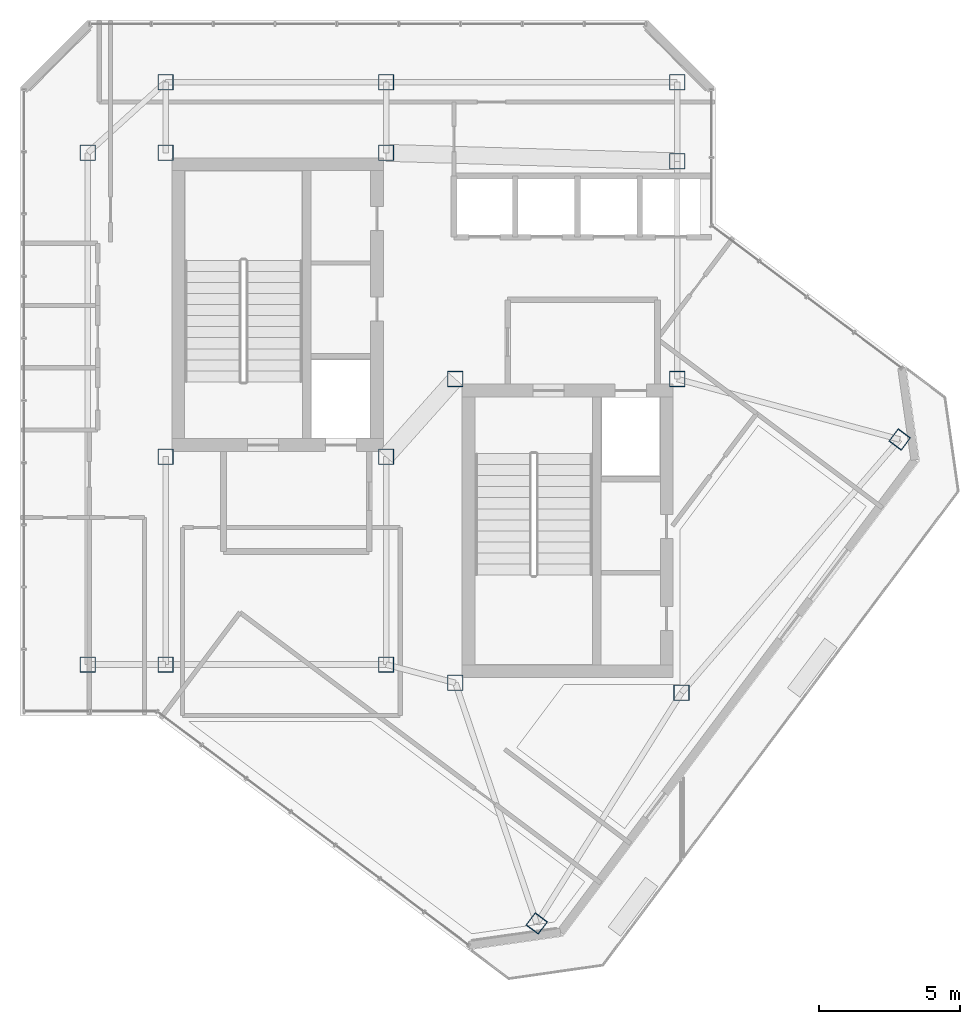
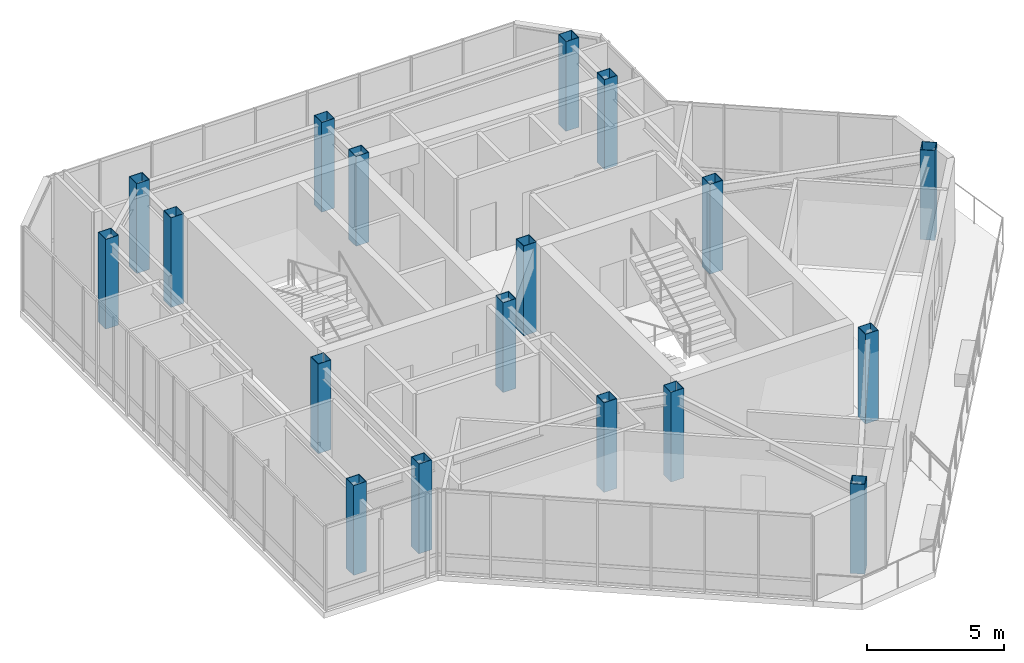
# One storey, part 1 of 23: 18 columns.
"""IFC4 building model written with IfcOpenShell, lengths in metres."""

from ifc_helpers import new_model, si_unit, direction, frame, origin, origin_2d, place, context, subcontext, project, spatial, hollow_rectangle, extrude, material, material_profile, profile_set, type_object, element, save


model = new_model("IFC4")

# Units and contexts
model_context = context("Model", 3, precision=1e-05, world=origin(), true_north=direction((0.0, 1.0)))
body_context = subcontext(model_context, "Body", "Model", "MODEL_VIEW")
ifc_project = project(units=[si_unit("LENGTHUNIT", "METRE"), si_unit("AREAUNIT", "SQUARE_METRE"), si_unit("VOLUMEUNIT", "CUBIC_METRE"), si_unit("PLANEANGLEUNIT", "RADIAN"), si_unit("MASSUNIT", "GRAM", prefix="KILO")], contexts=[model_context])

# Site, building, storey
site_placement = place(None, origin())
site = spatial("IfcSite", under=ifc_project, at=site_placement, CompositionType="ELEMENT")
building_placement = place(site_placement, origin())
building = spatial("IfcBuilding", under=site, at=building_placement, Name="Hatsunagi Terrace Concourse", CompositionType="ELEMENT")
storey_placement = place(building_placement, frame((0.0, 0.0, 281.949951171875)))
storey = spatial("IfcBuildingStorey", under=building, at=storey_placement, Name="L74", CompositionType="ELEMENT", Elevation=281.949951171875)

# Columns
ifc_material = material(Name="Steel BCP325T", Category="steel")
ifc_material_profile = material_profile(ifc_material, hollow_rectangle(XDim=0.550048828125, YDim=0.550048828125, WallThickness=0.02197265625, at=origin_2d()), Name="BCP-550x550x22")
ifc_profile_set = profile_set([ifc_material_profile], Name="Steel BCP325T")
column_type = type_object("IfcColumnType", Name="CrownBoxColumn_550x550x22", PredefinedType="COLUMN", material=ifc_profile_set)
for number, where, z_axis, x_axis, name in (
    (1, (25.550048828125, 32.550048828125, 0.0), (0.0, 0.0, 1.0), (1.0, 0.0, 0.0), "Column C-11 L74-CASW"),
    (2, (33.35009765625, 32.550048828125, 0.0), (0.0, 0.0, 1.0), (1.0, 0.0, 0.0), "Column C-11 L74-CASE"),
    (3, (25.550048828125, 43.300048828125, 0.0), (0.0, 0.0, 1.0), (1.0, 0.0, 0.0), "Column C-11 L74-CANW"),
    (4, (33.35009765625, 43.300048828125, 0.0), (0.0, 0.0, 1.0), (1.0, 0.0, 0.0), "Column C-11 L74-CANE"),
    (5, (35.800048828125, 24.550048828125, 0.0), (0.0, 0.0, 1.0), (1.0, 0.0, 0.0), "Column C-11 L74-CBSW"),
    (6, (43.800048828125, 24.199951171875, 0.0), (0.0, 0.0, 1.0), (1.0, 0.0, 0.0), "Column C-11 L74-CBSE"),
    (7, (35.800048828125, 35.300048828125, 0.0), (0.0, 0.0, 1.0), (1.0, 0.0, 0.0), "Column C-11 L74-CBNW"),
    (8, (43.64990234375, 35.300048828125, 0.0), (0.0, 0.0, 1.0), (1.0, 0.0, 0.0), "Column C-11 L74-CBNE"),
    (9, (25.550048828125, 25.199951171875, 0.0), (0.0, 0.0, 1.0), (1.0, 0.0, 0.0), "Column C-11 L74-K1"),
    (10, (33.35009765625, 25.199951171875, 0.0), (0.0, 0.0, 1.0), (1.0, 0.0, 0.0), "Column C-11 L74-K2"),
    (11, (43.64990234375, 43.0, 0.0), (0.0, 0.0, 1.0), (1.0, 0.0, 0.0), "Column C-11 L74-K3"),
    (12, (25.550048828125, 45.800048828125, 0.0), (0.0, 0.0, 1.0), (1.0, 0.0, 0.0), "Column C-11 L74-CN1"),
    (13, (33.35009765625, 45.800048828125, 0.0), (0.0, 0.0, 1.0), (1.0, 0.0, 0.0), "Column C-11 L74-CN2"),
    (14, (43.64990234375, 45.800048828125, 0.0), (0.0, 0.0, 1.0), (1.0, 0.0, 0.0), "Column C-11 L74-CN3"),
    (15, (22.800048828125, 25.199951171875, 0.0), (0.0, 0.0, 1.0), (1.0, 0.0, 0.0), "Column C-11 L74-CW1"),
    (16, (22.800048828125, 43.300048828125, 0.0), (0.0, 0.0, 1.0), (1.0, 0.0, 0.0), "Column C-11 L74-CW2"),
    (17, (38.679931640625, 16.0400390625, 0.0), (0.0, 0.0, 1.0), (0.799999996291, -0.600000004945, 0.0), "Column C-11 L74-SES1"),
    (18, (51.52001953125, 33.159912109375, 0.0), (0.0, 0.0, 1.0), (0.799999996291, -0.600000004945, 0.0), "Column C-11 L74-SEN1"),
):
    element("IfcColumn", number, at=place(storey_placement, frame(where, z_axis=z_axis, x_axis=x_axis)), inside=storey, type_object=column_type, Name=name, PredefinedType="COLUMN", context=body_context, shape_type="SweptSolid", body=[
        extrude(hollow_rectangle(XDim=0.550048828125, YDim=0.550048828125, WallThickness=0.02197265625, at=origin_2d()), origin(), (0.0, 0.0, 1.0), 4.0),
    ])

save(model, "model.ifc")
